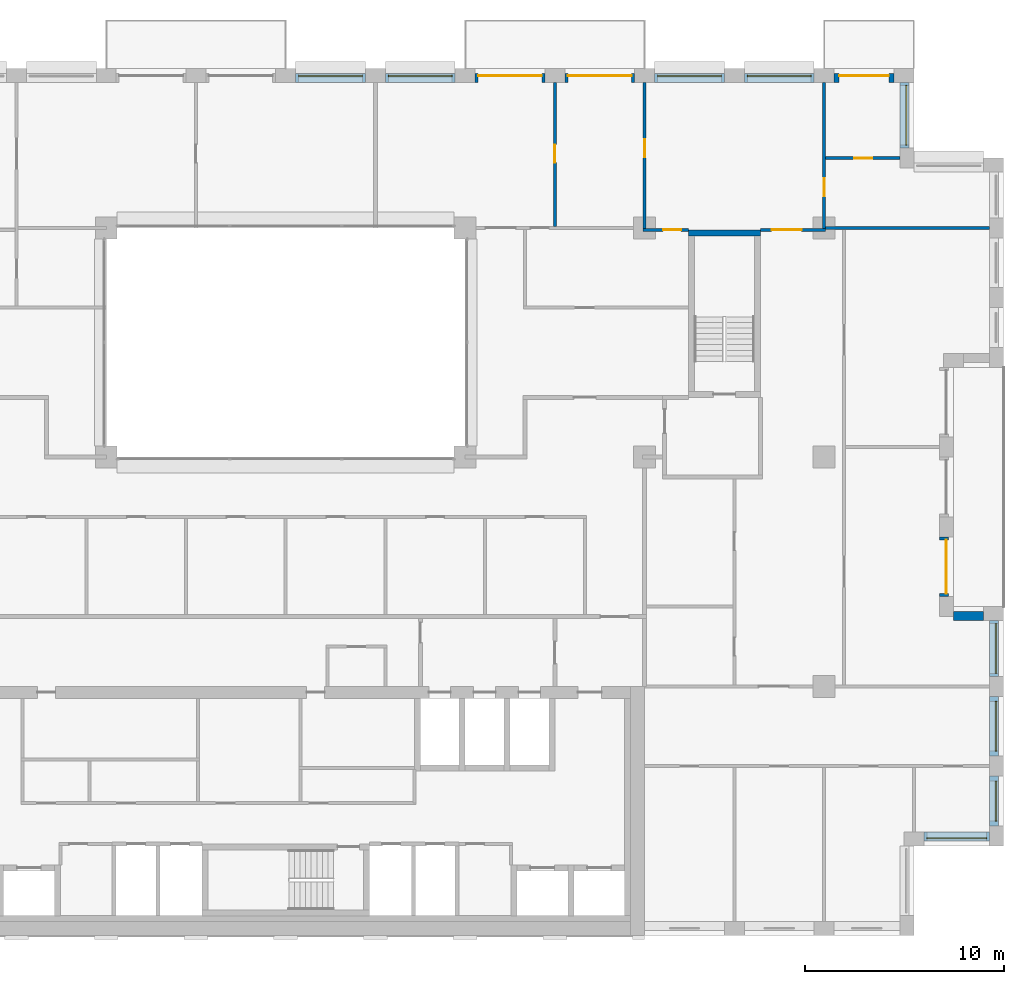
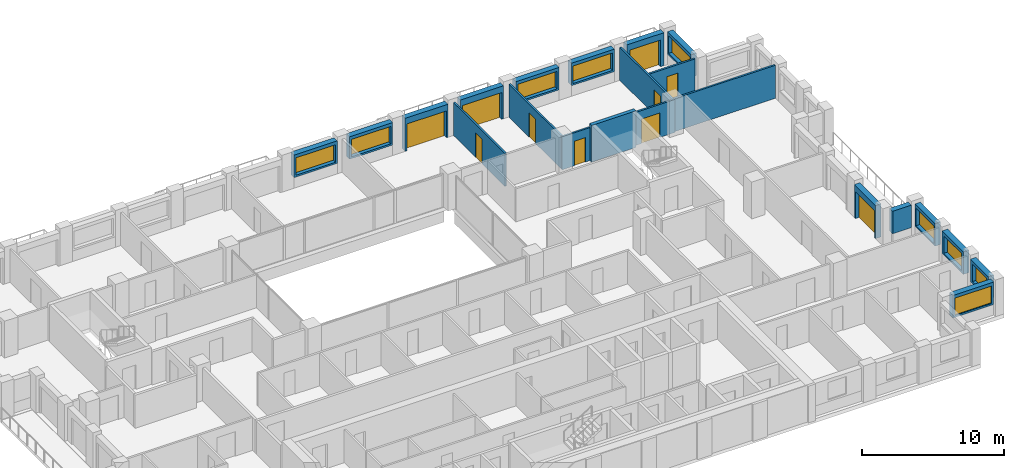
# One storey, part 13 of 15: 22 walls, 10 doors, 9 windows, 19 openings.
"""IFC4 building model written with IfcOpenShell, lengths in metres."""

import ifcopenshell
import ifcopenshell.guid

model = None  # the IFC model being written
_history = None  # IfcOwnerHistory: only IFC2X3 demands one
_inside = {}  # id of a spatial element -> (the spatial element, [elements in it])
_under = {}  # id of a project, library or spatial element -> (it, [spatial elements below it])
_declared = {}  # id of a project -> (the project, [libraries it declares])
_typed = {}  # id of a type object -> (the type object, [elements of that type])
_made_of = {}  # id of a material, layer set ... -> (it, [elements and type objects made of it])


def new_model(schema):
    """Start an empty IFC model of exactly this schema.

    Asked for "IFC4X3", IfcOpenShell would pick the latest addendum, in which some entities
    have other attributes; the version numbers below select the first issue.
    IFC2X3 requires an IfcOwnerHistory on every rooted entity: one is made here for all.
    """
    global model, _history
    if schema == "IFC4X3":
        model = ifcopenshell.file(schema_version=(4, 3, 0, 0))
    else:
        model = ifcopenshell.file(schema=schema)
    _inside.clear()
    _under.clear()
    _declared.clear()
    _typed.clear()
    _made_of.clear()
    _history = None
    if model.schema == "IFC2X3":
        org = make("IfcOrganization", Name="unknown")
        user = make(
            "IfcPersonAndOrganization",
            ThePerson=make("IfcPerson", FamilyName="unknown"),
            TheOrganization=org,
        )
        app = make(
            "IfcApplication",
            ApplicationDeveloper=org,
            Version="unknown",
            ApplicationFullName="unknown",
            ApplicationIdentifier="unknown",
        )
        _history = make(
            "IfcOwnerHistory",
            OwningUser=user,
            OwningApplication=app,
            ChangeAction="ADDED",
            CreationDate=0,
        )
    return model


def make(cls, **values):
    """One entity of the class cls with the attributes given. An attribute that is None is left unset."""
    return model.create_entity(
        cls, **{name: value for name, value in values.items() if value is not None}
    )


def rooted(cls, **values):
    """An entity with a GlobalId (a new one), such as an element, a storey or a relation."""
    return make(cls, GlobalId=ifcopenshell.guid.new(), OwnerHistory=_history, **values)


def si_unit(unit_type, name, prefix=None):
    """IfcSIUnit, for example si_unit("LENGTHUNIT", "METRE", prefix="MILLI")."""
    return make("IfcSIUnit", UnitType=unit_type, Prefix=prefix, Name=name)


def assignment(units):
    """IfcUnitAssignment: the units of a project."""
    return None if units is None else make("IfcUnitAssignment", Units=units)


def point(xyz):
    """IfcCartesianPoint."""
    return None if xyz is None else make("IfcCartesianPoint", Coordinates=xyz)


def direction(xyz):
    """IfcDirection."""
    return None if xyz is None else make("IfcDirection", DirectionRatios=xyz)


def frame(location, z_axis=None, x_axis=None):
    """IfcAxis2Placement3D, a coordinate frame: its origin and axes. An axis left out is left unset."""
    return make(
        "IfcAxis2Placement3D",
        Location=point(location),
        Axis=direction(z_axis),
        RefDirection=direction(x_axis),
    )


def frame_2d(location, x_axis=None):
    """IfcAxis2Placement2D, a coordinate frame in the plane: its origin and x axis."""
    return make(
        "IfcAxis2Placement2D", Location=point(location), RefDirection=direction(x_axis)
    )


def origin():
    """The frame at (0, 0, 0) with its axes left unset."""
    return frame((0.0, 0.0, 0.0))


def place(relative_to, where):
    """IfcLocalPlacement: puts the frame where relative to a parent placement (None: the world)."""
    return make(
        "IfcLocalPlacement", PlacementRelTo=relative_to, RelativePlacement=where
    )


def context(
    kind, dimensions, precision=None, world=None, true_north=None, identifier=None
):
    """IfcGeometricRepresentationContext, for example the 3D "Model" context."""
    return make(
        "IfcGeometricRepresentationContext",
        ContextIdentifier=identifier,
        ContextType=kind,
        CoordinateSpaceDimension=dimensions,
        Precision=precision,
        WorldCoordinateSystem=world,
        TrueNorth=true_north,
    )


def subcontext(parent, identifier, kind, view, scale=None):
    """IfcGeometricRepresentationSubContext, for example "Body" below "Model"."""
    return make(
        "IfcGeometricRepresentationSubContext",
        ContextIdentifier=identifier,
        ContextType=kind,
        ParentContext=parent,
        TargetScale=scale,
        TargetView=view,
    )


def project(units=None, contexts=None):
    """IfcProject with its units and contexts."""
    return rooted(
        "IfcProject",
        Name="project",
        RepresentationContexts=contexts,
        UnitsInContext=assignment(units),
    )


def spatial(cls, under=None, at=None, **own):
    """A site, building, storey or space (cls), placed at a placement, below another one or the project."""
    s = rooted(cls, ObjectPlacement=at, **own)
    if under is not None:
        _under.setdefault(under.id(), (under, []))[1].append(s)
    return s


def profile(cls, at=None, kind="AREA", **sizes):
    """A parametric profile (cls). Its sizes go by their IFC names, for example OverallWidth=200.0."""
    return make(cls, ProfileType=kind, Position=at, **sizes)


def rectangle(**sizes):
    """IfcRectangleProfileDef."""
    return profile("IfcRectangleProfileDef", **sizes)


def extrude(swept, where, along, depth):
    """IfcExtrudedAreaSolid: the profile swept, set in the frame where, extruded along a direction by depth."""
    return make(
        "IfcExtrudedAreaSolid",
        SweptArea=swept,
        Position=where,
        ExtrudedDirection=direction(along),
        Depth=depth,
    )


def shape(context_of_items, identifier, shape_type, items):
    """IfcShapeRepresentation: the items that make up one representation, for example the "Body"."""
    return make(
        "IfcShapeRepresentation",
        ContextOfItems=context_of_items,
        RepresentationIdentifier=identifier,
        RepresentationType=shape_type,
        Items=items,
    )


def material(Name=None, Category=None):
    """IfcMaterial."""
    return make("IfcMaterial", Name=Name, Category=Category)


def layer(
    of_material, thickness, ventilated=None, Name=None, Category=None, Priority=None
):
    """IfcMaterialLayer: one layer of a wall or slab, of a material (None: an air gap)."""
    return make(
        "IfcMaterialLayer",
        Material=of_material,
        LayerThickness=thickness,
        IsVentilated=ventilated,
        Name=Name,
        Category=Category,
        Priority=Priority,
    )


def layer_set(layers, Name=None):
    """IfcMaterialLayerSet."""
    return make("IfcMaterialLayerSet", MaterialLayers=layers, LayerSetName=Name)


def made_of(thing, what):
    """Note that an element or type object is made of a material, layer set ...; save() writes the relation."""
    if what is not None:
        _made_of.setdefault(what.id(), (what, []))[1].append(thing)
    return thing


def type_object(cls, material=None, **own):
    """A type object (cls), such as IfcWallType, which elements share."""
    return made_of(rooted(cls, **own), material)


def element(
    cls,
    number,
    at=None,
    inside=None,
    cuts=None,
    type_object=None,
    material=None,
    context=None,
    identifier="Body",
    shape_type=None,
    held_by="IfcProductDefinitionShape",
    body=None,
    shapes=None,
    **own,
):
    """One element of the class cls, such as IfcWall. Its Tag is "e" and its number.

    at: its placement. inside: the storey or other place that contains it. cuts: it is an
    opening in that element (IfcRelVoidsElement). A single representation is given by context,
    identifier, shape_type and body (its items); several are given by shapes. held_by: the class
    of the entity that holds the representations. save() writes the other relations.
    """
    e = rooted(cls, Tag="e%d" % number, ObjectPlacement=at, **own)
    if body is not None:
        shapes = [shape(context, identifier, shape_type, body)]
    if shapes is not None:
        e.Representation = make(held_by, Representations=shapes)
    if inside is not None:
        _inside.setdefault(inside.id(), (inside, []))[1].append(e)
    if cuts is not None:
        rooted(
            "IfcRelVoidsElement", RelatingBuildingElement=cuts, RelatedOpeningElement=e
        )
    if type_object is not None:
        _typed.setdefault(type_object.id(), (type_object, []))[1].append(e)
    return made_of(e, material)


def fill(opening, filler):
    """IfcRelFillsElement: the door or window that sits in an opening."""
    return rooted(
        "IfcRelFillsElement",
        RelatingOpeningElement=opening,
        RelatedBuildingElement=filler,
    )


def aggregate(whole, parts):
    """IfcRelAggregates: a whole, such as a stair, and the parts it consists of."""
    return rooted("IfcRelAggregates", RelatingObject=whole, RelatedObjects=parts)


def save(model, path):
    """Write the relations noted so far, then the file.

    IfcRelAggregates (storeys below a building ...), IfcRelContainedInSpatialStructure (elements
    in a storey), IfcRelDefinesByType, IfcRelAssociatesMaterial and IfcRelDeclares: one each for
    every whole, place, type object, material and project.
    """
    for whole, parts in _under.values():
        aggregate(whole, parts)
    for where, things in _inside.values():
        rooted(
            "IfcRelContainedInSpatialStructure",
            RelatedElements=things,
            RelatingStructure=where,
        )
    for kind, things in _typed.values():
        rooted("IfcRelDefinesByType", RelatedObjects=things, RelatingType=kind)
    for what, things in _made_of.values():
        rooted("IfcRelAssociatesMaterial", RelatedObjects=things, RelatingMaterial=what)
    for by, libraries in _declared.values():
        rooted("IfcRelDeclares", RelatingContext=by, RelatedDefinitions=libraries)
    model.write(path)


model = new_model("IFC4")

# Units and contexts
model_context = context("Model", 3, precision=1e-05, world=origin(), true_north=direction((0.0, 1.0)))
body_context = subcontext(model_context, "Body", "Model", "MODEL_VIEW")
ifc_project = project(units=[si_unit("LENGTHUNIT", "METRE"), si_unit("AREAUNIT", "SQUARE_METRE"), si_unit("VOLUMEUNIT", "CUBIC_METRE"), si_unit("PLANEANGLEUNIT", "RADIAN"), si_unit("MASSUNIT", "GRAM", prefix="KILO")], contexts=[model_context])

# Site, building, storey
site_placement = place(None, origin())
site = spatial("IfcSite", under=ifc_project, at=site_placement, CompositionType="ELEMENT")
building_placement = place(site_placement, origin())
building = spatial("IfcBuilding", under=site, at=building_placement, Name="Brigalow Station Residences", CompositionType="ELEMENT")
storey_placement = place(building_placement, frame((0.0, 0.0, 157.050048828125)))
storey = spatial("IfcBuildingStorey", under=building, at=storey_placement, Name="L45", CompositionType="ELEMENT", Elevation=157.050048828125)

# Wall, opening, window
ifc_material_1 = material(Name="Clay brick masonry", Category="masonry")
ifc_layer_1 = layer(ifc_material_1, 0.449951171875)
ifc_layer_set_1 = layer_set([ifc_layer_1], Name="BRICK INFILL WALL 450")
wall_type_1 = type_object("IfcWallType", Name="BRICK INFILL WALL 450", PredefinedType="SOLIDWALL", material=ifc_layer_set_1)
wall_1_placement = place(storey_placement, frame((68.0, 4.97509765625, 0.89990234375), z_axis=(0.0, 0.0, 1.0), x_axis=(1.0, 0.0, 0.0)))
wall_1 = element("IfcWall", 1, at=wall_1_placement, inside=storey, type_object=wall_type_1, Name="L45/ewall/W-L45-8", PredefinedType="SOLIDWALL", context=body_context, shape_type="SweptSolid", body=[
    extrude(rectangle(XDim=3.300048828125, YDim=0.449951171875, at=frame_2d((1.64990234375, 0.0))), origin(), (0.0, 0.0, 1.0), 1.929931640625),
])
opening_1_placement = place(wall_1_placement, frame((0.14990234375, 0.0, 0.14990234375)))
opening_1 = element("IfcOpeningElement", 2, at=opening_1_placement, cuts=wall_1, Name="Opening WT-2", PredefinedType="OPENING", context=body_context, shape_type="SweptSolid", body=[
    extrude(rectangle(XDim=3.0, YDim=1.5, at=frame_2d((1.5, 0.75))), frame((0.0, 0.23486328125, 0.0), z_axis=(0.0, -1.0, 0.0), x_axis=(1.0, 0.0, 0.0)), (0.0, 0.0, 1.0), 0.469970703125),
])
ifc_material_2 = material(Name="Anodised aluminium frame with double glazing", Category="aluminium")
window_type_1 = type_object("IfcWindowType", Name="WINDOW 3000x1500", PartitioningType="SINGLE_PANEL", PredefinedType="WINDOW", material=ifc_material_2)
window_1_placement = place(opening_1_placement, origin())
window_1 = element("IfcWindow", 3, at=window_1_placement, inside=storey, type_object=window_type_1, Name="L45/window/W-L45-8", OverallHeight=1.5, OverallWidth=3.0, PartitioningType="SINGLE_PANEL", PredefinedType="WINDOW", context=body_context, shape_type="SweptSolid", body=[
    extrude(rectangle(XDim=3.0, YDim=1.5, at=frame_2d((1.5, 0.75))), frame((0.0, -0.06494140625, 0.0), z_axis=(0.0, -1.0, 0.0), x_axis=(1.0, 0.0, 0.0)), (0.0, 0.0, 1.0), 0.06005859375),
])
fill(opening_1, window_1)

wall_2_placement = place(storey_placement, frame((71.52490234375, 5.5, 0.89990234375), z_axis=(0.0, 0.0, 1.0), x_axis=(0.0, 1.0, 0.0)))
wall_2 = element("IfcWall", 4, at=wall_2_placement, inside=storey, type_object=wall_type_1, Name="L45/ewall/W-L45-9", PredefinedType="SOLIDWALL", context=body_context, shape_type="SweptSolid", body=[
    extrude(rectangle(XDim=2.5, YDim=0.449951171875, at=frame_2d((1.25, 0.0))), origin(), (0.0, 0.0, 1.0), 1.929931640625),
])
opening_2_placement = place(wall_2_placement, frame((0.25, 0.0, 0.14990234375)))
opening_2 = element("IfcOpeningElement", 5, at=opening_2_placement, cuts=wall_2, Name="Opening WT-7", PredefinedType="OPENING", context=body_context, shape_type="SweptSolid", body=[
    extrude(rectangle(XDim=2.0, YDim=1.5, at=frame_2d((1.0, 0.75))), frame((0.0, 0.23486328125, 0.0), z_axis=(0.0, -1.0, 0.0), x_axis=(1.0, 0.0, 0.0)), (0.0, 0.0, 1.0), 0.469970703125),
])
ifc_material_3 = material(Name="Anodised aluminium frame with double glazing", Category="aluminium")
window_type_2 = type_object("IfcWindowType", Name="WINDOW 2000x1500", PartitioningType="SINGLE_PANEL", PredefinedType="WINDOW", material=ifc_material_3)
window_2_placement = place(opening_2_placement, origin())
window_2 = element("IfcWindow", 6, at=window_2_placement, inside=storey, type_object=window_type_2, Name="L45/window/W-L45-9", OverallHeight=1.5, OverallWidth=2.0, PartitioningType="SINGLE_PANEL", PredefinedType="WINDOW", context=body_context, shape_type="SweptSolid", body=[
    extrude(rectangle(XDim=2.0, YDim=1.5, at=frame_2d((1.0, 0.75))), frame((0.0, -0.06494140625, 0.0), z_axis=(0.0, -1.0, 0.0), x_axis=(1.0, 0.0, 0.0)), (0.0, 0.0, 1.0), 0.06005859375),
])
fill(opening_2, window_2)

wall_3_placement = place(storey_placement, frame((71.52490234375, 9.0, 0.89990234375), z_axis=(0.0, 0.0, 1.0), x_axis=(0.0, 1.0, 0.0)))
wall_3 = element("IfcWall", 7, at=wall_3_placement, inside=storey, type_object=wall_type_1, Name="L45/ewall/W-L45-10", PredefinedType="SOLIDWALL", context=body_context, shape_type="SweptSolid", body=[
    extrude(rectangle(XDim=3.0, YDim=0.449951171875, at=frame_2d((1.5, 0.0))), origin(), (0.0, 0.0, 1.0), 1.929931640625),
])
opening_3_placement = place(wall_3_placement, frame((0.25, 0.0, 0.14990234375)))
opening_3 = element("IfcOpeningElement", 8, at=opening_3_placement, cuts=wall_3, Name="Opening WT-5", PredefinedType="OPENING", context=body_context, shape_type="SweptSolid", body=[
    extrude(rectangle(XDim=2.5, YDim=1.5, at=frame_2d((1.25, 0.75))), frame((0.0, 0.23486328125, 0.0), z_axis=(0.0, -1.0, 0.0), x_axis=(1.0, 0.0, 0.0)), (0.0, 0.0, 1.0), 0.469970703125),
])
ifc_material_4 = material(Name="Anodised aluminium frame with double glazing", Category="aluminium")
window_type_3 = type_object("IfcWindowType", Name="WINDOW 2500x1500", PartitioningType="SINGLE_PANEL", PredefinedType="WINDOW", material=ifc_material_4)
window_3_placement = place(opening_3_placement, origin())
window_3 = element("IfcWindow", 9, at=window_3_placement, inside=storey, type_object=window_type_3, Name="L45/window/W-L45-10", OverallHeight=1.5, OverallWidth=2.5, PartitioningType="SINGLE_PANEL", PredefinedType="WINDOW", context=body_context, shape_type="SweptSolid", body=[
    extrude(rectangle(XDim=2.5, YDim=1.5, at=frame_2d((1.25, 0.75))), frame((0.0, -0.06494140625, 0.0), z_axis=(0.0, -1.0, 0.0), x_axis=(1.0, 0.0, 0.0)), (0.0, 0.0, 1.0), 0.06005859375),
])
fill(opening_3, window_3)

wall_4_placement = place(storey_placement, frame((71.52490234375, 13.0, 0.89990234375), z_axis=(0.0, 0.0, 1.0), x_axis=(0.0, 1.0, 0.0)))
wall_4 = element("IfcWall", 10, at=wall_4_placement, inside=storey, type_object=wall_type_1, Name="L45/ewall/W-L45-11", PredefinedType="SOLIDWALL", context=body_context, shape_type="SweptSolid", body=[
    extrude(rectangle(XDim=2.800048828125, YDim=0.449951171875, at=frame_2d((1.39990234375, 0.0))), origin(), (0.0, 0.0, 1.0), 1.929931640625),
])
opening_4_placement = place(wall_4_placement, frame((0.14990234375, 0.0, 0.14990234375)))
opening_4 = element("IfcOpeningElement", 11, at=opening_4_placement, cuts=wall_4, Name="Opening WT-5", PredefinedType="OPENING", context=body_context, shape_type="SweptSolid", body=[
    extrude(rectangle(XDim=2.5, YDim=1.5, at=frame_2d((1.25, 0.75))), frame((0.0, 0.23486328125, 0.0), z_axis=(0.0, -1.0, 0.0), x_axis=(1.0, 0.0, 0.0)), (0.0, 0.0, 1.0), 0.469970703125),
])
window_4_placement = place(opening_4_placement, origin())
window_4 = element("IfcWindow", 12, at=window_4_placement, inside=storey, type_object=window_type_3, Name="L45/window/W-L45-11", OverallHeight=1.5, OverallWidth=2.5, PartitioningType="SINGLE_PANEL", PredefinedType="WINDOW", context=body_context, shape_type="SweptSolid", body=[
    extrude(rectangle(XDim=2.5, YDim=1.5, at=frame_2d((1.25, 0.75))), frame((0.0, -0.06494140625, 0.0), z_axis=(0.0, -1.0, 0.0), x_axis=(1.0, 0.0, 0.0)), (0.0, 0.0, 1.0), 0.06005859375),
])
fill(opening_4, window_4)

# Wall
wall_5_placement = place(storey_placement, frame((71.0, 16.02490234375, 0.89990234375), z_axis=(0.0, 0.0, 1.0), x_axis=(-1.0, 0.0, 0.0)))
element("IfcWall", 13, at=wall_5_placement, inside=storey, type_object=wall_type_1, Name="L45/ewall/W-L45-12", PredefinedType="SOLIDWALL", context=body_context, shape_type="SweptSolid", body=[
    extrude(rectangle(XDim=1.5, YDim=0.449951171875, at=frame_2d((0.75, 0.0))), origin(), (0.0, 0.0, 1.0), 1.929931640625),
])

# Wall, opening, door
wall_6_placement = place(storey_placement, frame((69.02490234375, 17.0, 0.0), z_axis=(0.0, 0.0, 1.0), x_axis=(0.0, 1.0, 0.0)))
wall_6 = element("IfcWall", 14, at=wall_6_placement, inside=storey, type_object=wall_type_1, Name="L45/ewall/W-L45-13", PredefinedType="SOLIDWALL", context=body_context, shape_type="SweptSolid", body=[
    extrude(rectangle(XDim=3.0, YDim=0.449951171875, at=frame_2d((1.5, 0.0))), origin(), (0.0, 0.0, 1.0), 2.829833984375),
])
opening_5_placement = place(wall_6_placement, frame((0.14990234375, 0.0, 0.0)))
opening_5 = element("IfcOpeningElement", 15, at=opening_5_placement, cuts=wall_6, Name="Opening D-B2700", PredefinedType="OPENING", context=body_context, shape_type="SweptSolid", body=[
    extrude(rectangle(XDim=2.699951171875, YDim=2.300048828125, at=frame_2d((1.35009765625, 1.14990234375))), frame((0.0, 0.23486328125, 0.0), z_axis=(0.0, -1.0, 0.0), x_axis=(1.0, 0.0, 0.0)), (0.0, 0.0, 1.0), 0.469970703125),
])
ifc_material_5 = material(Name="Anodised aluminium frame with double glazing", Category="aluminium")
door_type_1 = type_object("IfcDoorType", Name="BALCONY SLIDING DOOR 2700x2300", OperationType="SLIDING_TO_LEFT", PredefinedType="DOOR", material=ifc_material_5)
door_1_placement = place(opening_5_placement, origin())
door_1 = element("IfcDoor", 16, at=door_1_placement, inside=storey, type_object=door_type_1, Name="L45/balcony-door/W-L45-13", OperationType="SLIDING_TO_LEFT", OverallHeight=2.300048828125, OverallWidth=2.699951171875, PredefinedType="DOOR", context=body_context, shape_type="SweptSolid", body=[
    extrude(rectangle(XDim=2.699951171875, YDim=2.300048828125, at=frame_2d((1.35009765625, 1.14990234375))), frame((0.0, -0.06982421875, 0.0), z_axis=(0.0, -1.0, 0.0), x_axis=(1.0, 0.0, 0.0)), (0.0, 0.0, 1.0), 0.050048828125),
])
fill(opening_5, door_1)

# Wall, opening, window
wall_7_placement = place(storey_placement, frame((67.02490234375, 39.5, 0.89990234375), z_axis=(0.0, 0.0, 1.0), x_axis=(0.0, 1.0, 0.0)))
wall_7 = element("IfcWall", 17, at=wall_7_placement, inside=storey, type_object=wall_type_1, Name="L45/ewall/W-L45-21", PredefinedType="SOLIDWALL", context=body_context, shape_type="SweptSolid", body=[
    extrude(rectangle(XDim=3.300048828125, YDim=0.449951171875, at=frame_2d((1.64990234375, 0.0))), origin(), (0.0, 0.0, 1.0), 1.929931640625),
])
opening_6_placement = place(wall_7_placement, frame((0.14990234375, 0.0, 0.14990234375)))
opening_6 = element("IfcOpeningElement", 18, at=opening_6_placement, cuts=wall_7, Name="Opening WT-2", PredefinedType="OPENING", context=body_context, shape_type="SweptSolid", body=[
    extrude(rectangle(XDim=3.0, YDim=1.5, at=frame_2d((1.5, 0.75))), frame((0.0, 0.23486328125, 0.0), z_axis=(0.0, -1.0, 0.0), x_axis=(1.0, 0.0, 0.0)), (0.0, 0.0, 1.0), 0.469970703125),
])
window_5_placement = place(opening_6_placement, origin())
window_5 = element("IfcWindow", 19, at=window_5_placement, inside=storey, type_object=window_type_1, Name="L45/window/W-L45-21", OverallHeight=1.5, OverallWidth=3.0, PartitioningType="SINGLE_PANEL", PredefinedType="WINDOW", context=body_context, shape_type="SweptSolid", body=[
    extrude(rectangle(XDim=3.0, YDim=1.5, at=frame_2d((1.5, 0.75))), frame((0.0, -0.06494140625, 0.0), z_axis=(0.0, -1.0, 0.0), x_axis=(1.0, 0.0, 0.0)), (0.0, 0.0, 1.0), 0.06005859375),
])
fill(opening_6, window_5)

# Wall, opening, door
wall_8_placement = place(storey_placement, frame((66.5, 43.02490234375, 0.0), z_axis=(0.0, 0.0, 1.0), x_axis=(-1.0, 0.0, 0.0)))
wall_8 = element("IfcWall", 20, at=wall_8_placement, inside=storey, type_object=wall_type_1, Name="L45/ewall/W-L45-22", PredefinedType="SOLIDWALL", context=body_context, shape_type="SweptSolid", body=[
    extrude(rectangle(XDim=3.0, YDim=0.449951171875, at=frame_2d((1.5, 0.0))), origin(), (0.0, 0.0, 1.0), 2.829833984375),
])
opening_7_placement = place(wall_8_placement, frame((0.25, 0.0, 0.0)))
opening_7 = element("IfcOpeningElement", 21, at=opening_7_placement, cuts=wall_8, Name="Opening D-B2500", PredefinedType="OPENING", context=body_context, shape_type="SweptSolid", body=[
    extrude(rectangle(XDim=2.5, YDim=2.300048828125, at=frame_2d((1.25, 1.14990234375))), frame((0.0, 0.23486328125, 0.0), z_axis=(0.0, -1.0, 0.0), x_axis=(1.0, 0.0, 0.0)), (0.0, 0.0, 1.0), 0.469970703125),
])
ifc_material_6 = material(Name="Anodised aluminium frame with double glazing", Category="aluminium")
door_type_2 = type_object("IfcDoorType", Name="BALCONY SLIDING DOOR 2500x2300", OperationType="SLIDING_TO_LEFT", PredefinedType="DOOR", material=ifc_material_6)
door_2_placement = place(opening_7_placement, origin())
door_2 = element("IfcDoor", 22, at=door_2_placement, inside=storey, type_object=door_type_2, Name="L45/balcony-door/W-L45-22", OperationType="SLIDING_TO_LEFT", OverallHeight=2.300048828125, OverallWidth=2.5, PredefinedType="DOOR", context=body_context, shape_type="SweptSolid", body=[
    extrude(rectangle(XDim=2.5, YDim=2.300048828125, at=frame_2d((1.25, 1.14990234375))), frame((0.0, -0.06982421875, 0.0), z_axis=(0.0, -1.0, 0.0), x_axis=(1.0, 0.0, 0.0)), (0.0, 0.0, 1.0), 0.050048828125),
])
fill(opening_7, door_2)

# Wall, opening, window
wall_9_placement = place(storey_placement, frame((62.5, 43.02490234375, 0.89990234375), z_axis=(0.0, 0.0, 1.0), x_axis=(-1.0, 0.0, 0.0)))
wall_9 = element("IfcWall", 23, at=wall_9_placement, inside=storey, type_object=wall_type_1, Name="L45/ewall/W-L45-23", PredefinedType="SOLIDWALL", context=body_context, shape_type="SweptSolid", body=[
    extrude(rectangle(XDim=3.5, YDim=0.449951171875, at=frame_2d((1.75, 0.0))), origin(), (0.0, 0.0, 1.0), 1.929931640625),
])
opening_8_placement = place(wall_9_placement, frame((0.14990234375, 0.0, 0.14990234375)))
opening_8 = element("IfcOpeningElement", 24, at=opening_8_placement, cuts=wall_9, Name="Opening WT-9", PredefinedType="OPENING", context=body_context, shape_type="SweptSolid", body=[
    extrude(rectangle(XDim=3.199951171875, YDim=1.5, at=frame_2d((1.60009765625, 0.75))), frame((0.0, 0.23486328125, 0.0), z_axis=(0.0, -1.0, 0.0), x_axis=(1.0, 0.0, 0.0)), (0.0, 0.0, 1.0), 0.469970703125),
])
ifc_material_7 = material(Name="Anodised aluminium frame with double glazing", Category="aluminium")
window_type_4 = type_object("IfcWindowType", Name="WINDOW 3200x1500", PartitioningType="SINGLE_PANEL", PredefinedType="WINDOW", material=ifc_material_7)
window_6_placement = place(opening_8_placement, origin())
window_6 = element("IfcWindow", 25, at=window_6_placement, inside=storey, type_object=window_type_4, Name="L45/window/W-L45-23", OverallHeight=1.5, OverallWidth=3.199951171875, PartitioningType="SINGLE_PANEL", PredefinedType="WINDOW", context=body_context, shape_type="SweptSolid", body=[
    extrude(rectangle(XDim=3.199951171875, YDim=1.5, at=frame_2d((1.60009765625, 0.75))), frame((0.0, -0.06494140625, 0.0), z_axis=(0.0, -1.0, 0.0), x_axis=(1.0, 0.0, 0.0)), (0.0, 0.0, 1.0), 0.06005859375),
])
fill(opening_8, window_6)

wall_10_placement = place(storey_placement, frame((58.0, 43.02490234375, 0.89990234375), z_axis=(0.0, 0.0, 1.0), x_axis=(-1.0, 0.0, 0.0)))
wall_10 = element("IfcWall", 26, at=wall_10_placement, inside=storey, type_object=wall_type_1, Name="L45/ewall/W-L45-24", PredefinedType="SOLIDWALL", context=body_context, shape_type="SweptSolid", body=[
    extrude(rectangle(XDim=3.5, YDim=0.449951171875, at=frame_2d((1.75, 0.0))), origin(), (0.0, 0.0, 1.0), 1.929931640625),
])
opening_9_placement = place(wall_10_placement, frame((0.14990234375, 0.0, 0.14990234375)))
opening_9 = element("IfcOpeningElement", 27, at=opening_9_placement, cuts=wall_10, Name="Opening WT-9", PredefinedType="OPENING", context=body_context, shape_type="SweptSolid", body=[
    extrude(rectangle(XDim=3.199951171875, YDim=1.5, at=frame_2d((1.60009765625, 0.75))), frame((0.0, 0.23486328125, 0.0), z_axis=(0.0, -1.0, 0.0), x_axis=(1.0, 0.0, 0.0)), (0.0, 0.0, 1.0), 0.469970703125),
])
window_7_placement = place(opening_9_placement, origin())
window_7 = element("IfcWindow", 28, at=window_7_placement, inside=storey, type_object=window_type_4, Name="L45/window/W-L45-24", OverallHeight=1.5, OverallWidth=3.199951171875, PartitioningType="SINGLE_PANEL", PredefinedType="WINDOW", context=body_context, shape_type="SweptSolid", body=[
    extrude(rectangle(XDim=3.199951171875, YDim=1.5, at=frame_2d((1.60009765625, 0.75))), frame((0.0, -0.06494140625, 0.0), z_axis=(0.0, -1.0, 0.0), x_axis=(1.0, 0.0, 0.0)), (0.0, 0.0, 1.0), 0.06005859375),
])
fill(opening_9, window_7)

# Wall, opening, door
wall_11_placement = place(storey_placement, frame((53.5, 43.02490234375, 0.0), z_axis=(0.0, 0.0, 1.0), x_axis=(-1.0, 0.0, 0.0)))
wall_11 = element("IfcWall", 29, at=wall_11_placement, inside=storey, type_object=wall_type_1, Name="L45/ewall/W-L45-25", PredefinedType="SOLIDWALL", context=body_context, shape_type="SweptSolid", body=[
    extrude(rectangle(XDim=3.5, YDim=0.449951171875, at=frame_2d((1.75, 0.0))), origin(), (0.0, 0.0, 1.0), 2.829833984375),
])
opening_10_placement = place(wall_11_placement, frame((0.14990234375, 0.0, 0.0)))
opening_10 = element("IfcOpeningElement", 30, at=opening_10_placement, cuts=wall_11, Name="Opening D-B3200", PredefinedType="OPENING", context=body_context, shape_type="SweptSolid", body=[
    extrude(rectangle(XDim=3.199951171875, YDim=2.300048828125, at=frame_2d((1.60009765625, 1.14990234375))), frame((0.0, 0.23486328125, 0.0), z_axis=(0.0, -1.0, 0.0), x_axis=(1.0, 0.0, 0.0)), (0.0, 0.0, 1.0), 0.469970703125),
])
ifc_material_8 = material(Name="Anodised aluminium frame with double glazing", Category="aluminium")
door_type_3 = type_object("IfcDoorType", Name="BALCONY SLIDING DOOR 3200x2300", OperationType="SLIDING_TO_LEFT", PredefinedType="DOOR", material=ifc_material_8)
door_3_placement = place(opening_10_placement, origin())
door_3 = element("IfcDoor", 31, at=door_3_placement, inside=storey, type_object=door_type_3, Name="L45/balcony-door/W-L45-25", OperationType="SLIDING_TO_LEFT", OverallHeight=2.300048828125, OverallWidth=3.199951171875, PredefinedType="DOOR", context=body_context, shape_type="SweptSolid", body=[
    extrude(rectangle(XDim=3.199951171875, YDim=2.300048828125, at=frame_2d((1.60009765625, 1.14990234375))), frame((0.0, -0.06982421875, 0.0), z_axis=(0.0, -1.0, 0.0), x_axis=(1.0, 0.0, 0.0)), (0.0, 0.0, 1.0), 0.050048828125),
])
fill(opening_10, door_3)

wall_12_placement = place(storey_placement, frame((49.0, 43.02490234375, 0.0), z_axis=(0.0, 0.0, 1.0), x_axis=(-1.0, 0.0, 0.0)))
wall_12 = element("IfcWall", 32, at=wall_12_placement, inside=storey, type_object=wall_type_1, Name="L45/ewall/W-L45-26", PredefinedType="SOLIDWALL", context=body_context, shape_type="SweptSolid", body=[
    extrude(rectangle(XDim=3.5, YDim=0.449951171875, at=frame_2d((1.75, 0.0))), origin(), (0.0, 0.0, 1.0), 2.829833984375),
])
opening_11_placement = place(wall_12_placement, frame((0.14990234375, 0.0, 0.0)))
opening_11 = element("IfcOpeningElement", 33, at=opening_11_placement, cuts=wall_12, Name="Opening D-B3200", PredefinedType="OPENING", context=body_context, shape_type="SweptSolid", body=[
    extrude(rectangle(XDim=3.199951171875, YDim=2.300048828125, at=frame_2d((1.60009765625, 1.14990234375))), frame((0.0, 0.23486328125, 0.0), z_axis=(0.0, -1.0, 0.0), x_axis=(1.0, 0.0, 0.0)), (0.0, 0.0, 1.0), 0.469970703125),
])
door_4_placement = place(opening_11_placement, origin())
door_4 = element("IfcDoor", 34, at=door_4_placement, inside=storey, type_object=door_type_3, Name="L45/balcony-door/W-L45-26", OperationType="SLIDING_TO_LEFT", OverallHeight=2.300048828125, OverallWidth=3.199951171875, PredefinedType="DOOR", context=body_context, shape_type="SweptSolid", body=[
    extrude(rectangle(XDim=3.199951171875, YDim=2.300048828125, at=frame_2d((1.60009765625, 1.14990234375))), frame((0.0, -0.06982421875, 0.0), z_axis=(0.0, -1.0, 0.0), x_axis=(1.0, 0.0, 0.0)), (0.0, 0.0, 1.0), 0.050048828125),
])
fill(opening_11, door_4)

# Wall, opening, window
wall_13_placement = place(storey_placement, frame((44.5, 43.02490234375, 0.89990234375), z_axis=(0.0, 0.0, 1.0), x_axis=(-1.0, 0.0, 0.0)))
wall_13 = element("IfcWall", 35, at=wall_13_placement, inside=storey, type_object=wall_type_1, Name="L45/ewall/W-L45-27", PredefinedType="SOLIDWALL", context=body_context, shape_type="SweptSolid", body=[
    extrude(rectangle(XDim=3.5, YDim=0.449951171875, at=frame_2d((1.75, 0.0))), origin(), (0.0, 0.0, 1.0), 1.929931640625),
])
opening_12_placement = place(wall_13_placement, frame((0.14990234375, 0.0, 0.14990234375)))
opening_12 = element("IfcOpeningElement", 36, at=opening_12_placement, cuts=wall_13, Name="Opening WT-9", PredefinedType="OPENING", context=body_context, shape_type="SweptSolid", body=[
    extrude(rectangle(XDim=3.199951171875, YDim=1.5, at=frame_2d((1.60009765625, 0.75))), frame((0.0, 0.23486328125, 0.0), z_axis=(0.0, -1.0, 0.0), x_axis=(1.0, 0.0, 0.0)), (0.0, 0.0, 1.0), 0.469970703125),
])
window_8_placement = place(opening_12_placement, origin())
window_8 = element("IfcWindow", 37, at=window_8_placement, inside=storey, type_object=window_type_4, Name="L45/window/W-L45-27", OverallHeight=1.5, OverallWidth=3.199951171875, PartitioningType="SINGLE_PANEL", PredefinedType="WINDOW", context=body_context, shape_type="SweptSolid", body=[
    extrude(rectangle(XDim=3.199951171875, YDim=1.5, at=frame_2d((1.60009765625, 0.75))), frame((0.0, -0.06494140625, 0.0), z_axis=(0.0, -1.0, 0.0), x_axis=(1.0, 0.0, 0.0)), (0.0, 0.0, 1.0), 0.06005859375),
])
fill(opening_12, window_8)

wall_14_placement = place(storey_placement, frame((40.0, 43.02490234375, 0.89990234375), z_axis=(0.0, 0.0, 1.0), x_axis=(-1.0, 0.0, 0.0)))
wall_14 = element("IfcWall", 38, at=wall_14_placement, inside=storey, type_object=wall_type_1, Name="L45/ewall/W-L45-28", PredefinedType="SOLIDWALL", context=body_context, shape_type="SweptSolid", body=[
    extrude(rectangle(XDim=3.5, YDim=0.449951171875, at=frame_2d((1.75, 0.0))), origin(), (0.0, 0.0, 1.0), 1.929931640625),
])
opening_13_placement = place(wall_14_placement, frame((0.14990234375, 0.0, 0.14990234375)))
opening_13 = element("IfcOpeningElement", 39, at=opening_13_placement, cuts=wall_14, Name="Opening WT-9", PredefinedType="OPENING", context=body_context, shape_type="SweptSolid", body=[
    extrude(rectangle(XDim=3.199951171875, YDim=1.5, at=frame_2d((1.60009765625, 0.75))), frame((0.0, 0.23486328125, 0.0), z_axis=(0.0, -1.0, 0.0), x_axis=(1.0, 0.0, 0.0)), (0.0, 0.0, 1.0), 0.469970703125),
])
window_9_placement = place(opening_13_placement, origin())
window_9 = element("IfcWindow", 40, at=window_9_placement, inside=storey, type_object=window_type_4, Name="L45/window/W-L45-28", OverallHeight=1.5, OverallWidth=3.199951171875, PartitioningType="SINGLE_PANEL", PredefinedType="WINDOW", context=body_context, shape_type="SweptSolid", body=[
    extrude(rectangle(XDim=3.199951171875, YDim=1.5, at=frame_2d((1.60009765625, 0.75))), frame((0.0, -0.06494140625, 0.0), z_axis=(0.0, -1.0, 0.0), x_axis=(1.0, 0.0, 0.0)), (0.0, 0.0, 1.0), 0.06005859375),
])
fill(opening_13, window_9)

# Wall
ifc_material_9 = material(Name="Concrete C65", Category="concrete")
ifc_layer_2 = layer(ifc_material_9, 0.300048828125)
ifc_layer_set_2 = layer_set([ifc_layer_2], Name="CORE SHEAR WALL 300 C65")
wall_type_2 = type_object("IfcWallType", Name="CORE SHEAR WALL 300 C65", PredefinedType="SHEAR", material=ifc_layer_set_2)
wall_15_placement = place(storey_placement, frame((56.199951171875, 35.25, 0.0), z_axis=(0.0, 0.0, 1.0), x_axis=(1.0, 0.0, 0.0)))
element("IfcWall", 41, at=wall_15_placement, inside=storey, type_object=wall_type_2, Name="CORE WALL ST-S3-N L45", PredefinedType="SHEAR", context=body_context, shape_type="SweptSolid", body=[
    extrude(rectangle(XDim=3.60009765625, YDim=0.300048828125, at=frame_2d((1.800048828125, 0.0))), origin(), (0.0, 0.0, 1.0), 3.14990234375),
])

# Wall, opening, door
ifc_material_10 = material(Name="Plasterboard on steel stud partition", Category="steel")
ifc_layer_3 = layer(ifc_material_10, 0.14990234375)
ifc_layer_set_3 = layer_set([ifc_layer_3], Name="FLAT PARTITION 150")
wall_type_3 = type_object("IfcWallType", Name="FLAT PARTITION 150", PredefinedType="PARTITIONING", material=ifc_layer_set_3)
wall_16_placement = place(storey_placement, frame((53.925048828125, 35.39990234375, 0.0), z_axis=(0.0, 0.0, 1.0), x_axis=(1.0, 0.0, 0.0)))
wall_16 = element("IfcWall", 42, at=wall_16_placement, inside=storey, type_object=wall_type_3, Name="PW-3B12", PredefinedType="PARTITIONING", context=body_context, shape_type="SweptSolid", body=[
    extrude(rectangle(XDim=2.27490234375, YDim=0.14990234375, at=frame_2d((1.137451171875, 0.0))), origin(), (0.0, 0.0, 1.0), 2.829833984375),
])
opening_14_placement = place(wall_16_placement, frame((1.0, 0.0, 0.0)))
opening_14 = element("IfcOpeningElement", 43, at=opening_14_placement, cuts=wall_16, Name="Opening D-3B20", PredefinedType="OPENING", context=body_context, shape_type="SweptSolid", body=[
    extrude(rectangle(XDim=0.89990234375, YDim=2.10009765625, at=frame_2d((0.449951171875, 1.050048828125))), frame((0.0, 0.0849609375, 0.0), z_axis=(0.0, -1.0, 0.0), x_axis=(1.0, 0.0, 0.0)), (0.0, 0.0, 1.0), 0.169921875),
])
ifc_material_11 = material(Name="Solid-core timber door leaf", Category="wood")
door_type_4 = type_object("IfcDoorType", Name="INTERNAL DOOR 900 x 2100", OperationType="SINGLE_SWING_LEFT", PredefinedType="DOOR", material=ifc_material_11)
door_5_placement = place(opening_14_placement, frame((0.89990234375, 0.0, 0.0), z_axis=(0.0, 0.0, 1.0), x_axis=(-1.0, 0.0, 0.0)))
door_5 = element("IfcDoor", 44, at=door_5_placement, inside=storey, type_object=door_type_4, Name="D-3B20", OperationType="SINGLE_SWING_LEFT", OverallHeight=2.10009765625, OverallWidth=0.89990234375, PredefinedType="DOOR", context=body_context, shape_type="SweptSolid", body=[
    extrude(rectangle(XDim=0.89990234375, YDim=2.10009765625, at=frame_2d((0.449951171875, 1.050048828125))), frame((0.0, 0.02490234375, 0.0), z_axis=(0.0, -1.0, 0.0), x_axis=(1.0, 0.0, 0.0)), (0.0, 0.0, 1.0), 0.050048828125),
])
fill(opening_14, door_5)

wall_17_placement = place(storey_placement, frame((59.800048828125, 35.39990234375, 0.0), z_axis=(0.0, 0.0, 1.0), x_axis=(1.0, 0.0, 0.0)))
wall_17 = element("IfcWall", 45, at=wall_17_placement, inside=storey, type_object=wall_type_3, Name="PW-3B13", PredefinedType="PARTITIONING", context=body_context, shape_type="SweptSolid", body=[
    extrude(rectangle(XDim=3.27490234375, YDim=0.14990234375, at=frame_2d((1.637451171875, 0.0))), origin(), (0.0, 0.0, 1.0), 2.829833984375),
])
opening_15_placement = place(wall_17_placement, frame((0.574951171875, 0.0, 0.0)))
opening_15 = element("IfcOpeningElement", 46, at=opening_15_placement, cuts=wall_17, Name="Opening D-3B24", PredefinedType="OPENING", context=body_context, shape_type="SweptSolid", body=[
    extrude(rectangle(XDim=1.5, YDim=2.10009765625, at=frame_2d((0.75, 1.050048828125))), frame((0.0, 0.0849609375, 0.0), z_axis=(0.0, -1.0, 0.0), x_axis=(1.0, 0.0, 0.0)), (0.0, 0.0, 1.0), 0.169921875),
])
ifc_material_12 = material(Name="Solid-core timber door leaf", Category="wood")
door_type_5 = type_object("IfcDoorType", Name="INTERNAL DOUBLE DOOR 1500 x 2100", OperationType="DOUBLE_DOOR_SINGLE_SWING", PredefinedType="DOOR", material=ifc_material_12)
door_6_placement = place(opening_15_placement, origin())
door_6 = element("IfcDoor", 47, at=door_6_placement, inside=storey, type_object=door_type_5, Name="D-3B24", OperationType="DOUBLE_DOOR_SINGLE_SWING", OverallHeight=2.10009765625, OverallWidth=1.5, PredefinedType="DOOR", context=body_context, shape_type="SweptSolid", body=[
    extrude(rectangle(XDim=1.5, YDim=2.10009765625, at=frame_2d((0.75, 1.050048828125))), frame((0.0, 0.02490234375, 0.0), z_axis=(0.0, -1.0, 0.0), x_axis=(1.0, 0.0, 0.0)), (0.0, 0.0, 1.0), 0.050048828125),
])
fill(opening_15, door_6)

# Wall
wall_18_placement = place(storey_placement, frame((63.074951171875, 35.5, 0.0), z_axis=(0.0, 0.0, 1.0), x_axis=(1.0, 0.0, 0.0)))
element("IfcWall", 48, at=wall_18_placement, inside=storey, type_object=wall_type_3, Name="PW-3B16", PredefinedType="PARTITIONING", context=body_context, shape_type="SweptSolid", body=[
    extrude(rectangle(XDim=8.22509765625, YDim=0.14990234375, at=frame_2d((4.112548828125, 0.0))), origin(), (0.0, 0.0, 1.0), 2.829833984375),
])

# Wall, opening, door
wall_19_placement = place(storey_placement, frame((63.074951171875, 39.0, 0.0), z_axis=(0.0, 0.0, 1.0), x_axis=(1.0, 0.0, 0.0)))
wall_19 = element("IfcWall", 49, at=wall_19_placement, inside=storey, type_object=wall_type_3, Name="PW-3B25", PredefinedType="PARTITIONING", context=body_context, shape_type="SweptSolid", body=[
    extrude(rectangle(XDim=3.72509765625, YDim=0.14990234375, at=frame_2d((1.862548828125, 0.0))), origin(), (0.0, 0.0, 1.0), 2.829833984375),
])
opening_16_placement = place(wall_19_placement, frame((1.449951171875, 0.0, 0.0)))
opening_16 = element("IfcOpeningElement", 50, at=opening_16_placement, cuts=wall_19, Name="Opening D-3B26", PredefinedType="OPENING", context=body_context, shape_type="SweptSolid", body=[
    extrude(rectangle(XDim=0.89990234375, YDim=2.10009765625, at=frame_2d((0.449951171875, 1.050048828125))), frame((0.0, 0.0849609375, 0.0), z_axis=(0.0, -1.0, 0.0), x_axis=(1.0, 0.0, 0.0)), (0.0, 0.0, 1.0), 0.169921875),
])
door_7_placement = place(opening_16_placement, origin())
door_7 = element("IfcDoor", 51, at=door_7_placement, inside=storey, type_object=door_type_4, Name="D-3B26", OperationType="SINGLE_SWING_RIGHT", OverallHeight=2.10009765625, OverallWidth=0.89990234375, PredefinedType="DOOR", context=body_context, shape_type="SweptSolid", body=[
    extrude(rectangle(XDim=0.89990234375, YDim=2.10009765625, at=frame_2d((0.449951171875, 1.050048828125))), frame((0.0, 0.02490234375, 0.0), z_axis=(0.0, -1.0, 0.0), x_axis=(1.0, 0.0, 0.0)), (0.0, 0.0, 1.0), 0.050048828125),
])
fill(opening_16, door_7)

wall_20_placement = place(storey_placement, frame((54.0, 35.47509765625, 0.0), z_axis=(0.0, 0.0, 1.0), x_axis=(0.0, 1.0, 0.0)))
wall_20 = element("IfcWall", 52, at=wall_20_placement, inside=storey, type_object=wall_type_3, Name="PW-3B28", PredefinedType="PARTITIONING", context=body_context, shape_type="SweptSolid", body=[
    extrude(rectangle(XDim=7.324951171875, YDim=0.14990234375, at=frame_2d((3.66259765625, 0.0))), origin(), (0.0, 0.0, 1.0), 2.829833984375),
])
opening_17_placement = place(wall_20_placement, frame((3.574951171875, 0.0, 0.0)))
opening_17 = element("IfcOpeningElement", 53, at=opening_17_placement, cuts=wall_20, Name="Opening D-3B23", PredefinedType="OPENING", context=body_context, shape_type="SweptSolid", body=[
    extrude(rectangle(XDim=0.89990234375, YDim=2.10009765625, at=frame_2d((0.449951171875, 1.050048828125))), frame((0.0, 0.0849609375, 0.0), z_axis=(0.0, -1.0, 0.0), x_axis=(1.0, 0.0, 0.0)), (0.0, 0.0, 1.0), 0.169921875),
])
door_8_placement = place(opening_17_placement, origin())
door_8 = element("IfcDoor", 54, at=door_8_placement, inside=storey, type_object=door_type_4, Name="D-3B23", OperationType="SINGLE_SWING_RIGHT", OverallHeight=2.10009765625, OverallWidth=0.89990234375, PredefinedType="DOOR", context=body_context, shape_type="SweptSolid", body=[
    extrude(rectangle(XDim=0.89990234375, YDim=2.10009765625, at=frame_2d((0.449951171875, 1.050048828125))), frame((0.0, 0.02490234375, 0.0), z_axis=(0.0, -1.0, 0.0), x_axis=(1.0, 0.0, 0.0)), (0.0, 0.0, 1.0), 0.050048828125),
])
fill(opening_17, door_8)

wall_21_placement = place(storey_placement, frame((49.5, 35.574951171875, 0.0), z_axis=(0.0, 0.0, 1.0), x_axis=(0.0, 1.0, 0.0)))
wall_21 = element("IfcWall", 55, at=wall_21_placement, inside=storey, type_object=wall_type_3, Name="PW-3B42", PredefinedType="PARTITIONING", context=body_context, shape_type="SweptSolid", body=[
    extrude(rectangle(XDim=7.22509765625, YDim=0.14990234375, at=frame_2d((3.612548828125, 0.0))), origin(), (0.0, 0.0, 1.0), 2.829833984375),
])
opening_18_placement = place(wall_21_placement, frame((3.199951171875, 0.0, 0.0)))
opening_18 = element("IfcOpeningElement", 56, at=opening_18_placement, cuts=wall_21, Name="Opening D-3B22", PredefinedType="OPENING", context=body_context, shape_type="SweptSolid", body=[
    extrude(rectangle(XDim=0.89990234375, YDim=2.10009765625, at=frame_2d((0.449951171875, 1.050048828125))), frame((0.0, 0.0849609375, 0.0), z_axis=(0.0, -1.0, 0.0), x_axis=(1.0, 0.0, 0.0)), (0.0, 0.0, 1.0), 0.169921875),
])
door_9_placement = place(opening_18_placement, frame((0.89990234375, 0.0, 0.0), z_axis=(0.0, 0.0, 1.0), x_axis=(-1.0, 0.0, 0.0)))
door_9 = element("IfcDoor", 57, at=door_9_placement, inside=storey, type_object=door_type_4, Name="D-3B22", OperationType="SINGLE_SWING_LEFT", OverallHeight=2.10009765625, OverallWidth=0.89990234375, PredefinedType="DOOR", context=body_context, shape_type="SweptSolid", body=[
    extrude(rectangle(XDim=0.89990234375, YDim=2.10009765625, at=frame_2d((0.449951171875, 1.050048828125))), frame((0.0, 0.02490234375, 0.0), z_axis=(0.0, -1.0, 0.0), x_axis=(1.0, 0.0, 0.0)), (0.0, 0.0, 1.0), 0.050048828125),
])
fill(opening_18, door_9)

wall_22_placement = place(storey_placement, frame((63.0, 35.47509765625, 0.0), z_axis=(0.0, 0.0, 1.0), x_axis=(0.0, 1.0, 0.0)))
wall_22 = element("IfcWall", 58, at=wall_22_placement, inside=storey, type_object=wall_type_3, Name="PW-3B44", PredefinedType="PARTITIONING", context=body_context, shape_type="SweptSolid", body=[
    extrude(rectangle(XDim=7.324951171875, YDim=0.14990234375, at=frame_2d((3.66259765625, 0.0))), origin(), (0.0, 0.0, 1.0), 2.829833984375),
])
opening_19_placement = place(wall_22_placement, frame((1.60009765625, 0.0, 0.0)))
opening_19 = element("IfcOpeningElement", 59, at=opening_19_placement, cuts=wall_22, Name="Opening D-3B25", PredefinedType="OPENING", context=body_context, shape_type="SweptSolid", body=[
    extrude(rectangle(XDim=0.89990234375, YDim=2.10009765625, at=frame_2d((0.449951171875, 1.050048828125))), frame((0.0, 0.0849609375, 0.0), z_axis=(0.0, -1.0, 0.0), x_axis=(1.0, 0.0, 0.0)), (0.0, 0.0, 1.0), 0.169921875),
])
door_10_placement = place(opening_19_placement, frame((0.89990234375, 0.0, 0.0), z_axis=(0.0, 0.0, 1.0), x_axis=(-1.0, 0.0, 0.0)))
door_10 = element("IfcDoor", 60, at=door_10_placement, inside=storey, type_object=door_type_4, Name="D-3B25", OperationType="SINGLE_SWING_LEFT", OverallHeight=2.10009765625, OverallWidth=0.89990234375, PredefinedType="DOOR", context=body_context, shape_type="SweptSolid", body=[
    extrude(rectangle(XDim=0.89990234375, YDim=2.10009765625, at=frame_2d((0.449951171875, 1.050048828125))), frame((0.0, 0.02490234375, 0.0), z_axis=(0.0, -1.0, 0.0), x_axis=(1.0, 0.0, 0.0)), (0.0, 0.0, 1.0), 0.050048828125),
])
fill(opening_19, door_10)

save(model, "model.ifc")
